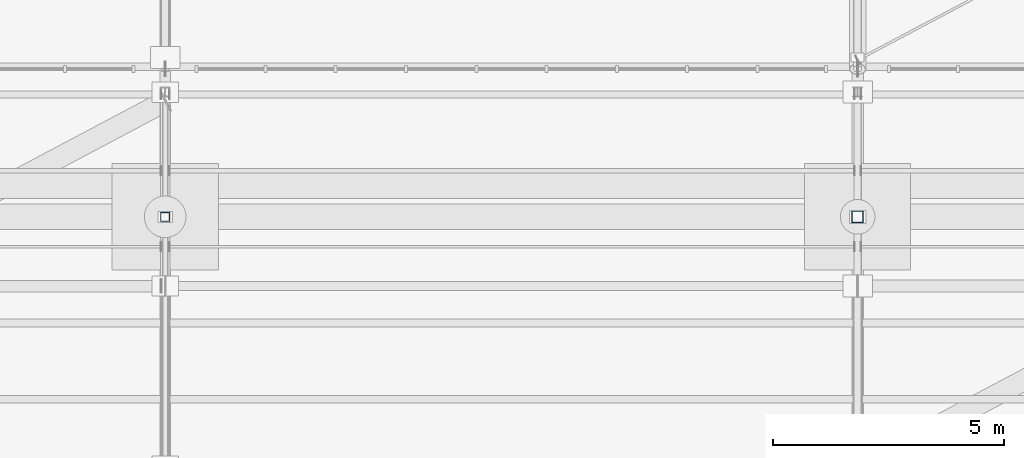
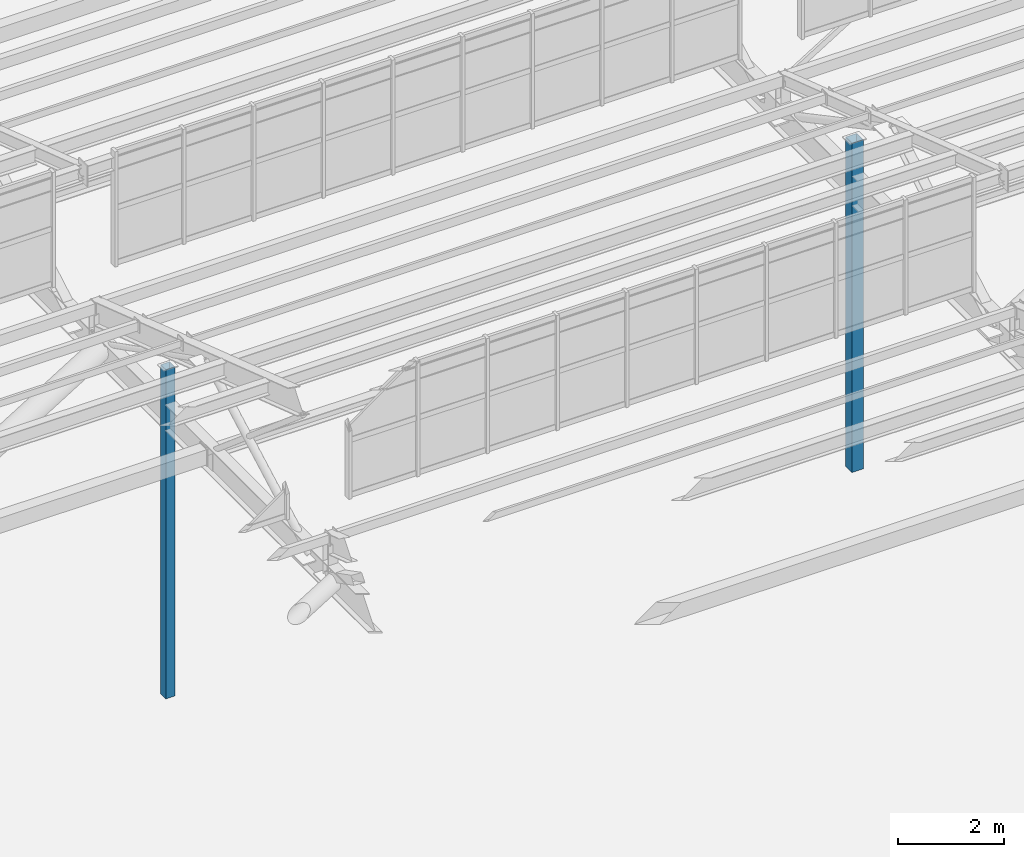
# One storey, part 26 of 285: 2 columns.
"""IFC4 building model written with IfcOpenShell, lengths in metres."""

import ifcopenshell
import ifcopenshell.guid

model = None  # the IFC model being written
_history = None  # IfcOwnerHistory: only IFC2X3 demands one
_inside = {}  # id of a spatial element -> (the spatial element, [elements in it])
_under = {}  # id of a project, library or spatial element -> (it, [spatial elements below it])
_declared = {}  # id of a project -> (the project, [libraries it declares])
_typed = {}  # id of a type object -> (the type object, [elements of that type])
_made_of = {}  # id of a material, layer set ... -> (it, [elements and type objects made of it])


def new_model(schema):
    """Start an empty IFC model of exactly this schema.

    Asked for "IFC4X3", IfcOpenShell would pick the latest addendum, in which some entities
    have other attributes; the version numbers below select the first issue.
    IFC2X3 requires an IfcOwnerHistory on every rooted entity: one is made here for all.
    """
    global model, _history
    if schema == "IFC4X3":
        model = ifcopenshell.file(schema_version=(4, 3, 0, 0))
    else:
        model = ifcopenshell.file(schema=schema)
    _inside.clear()
    _under.clear()
    _declared.clear()
    _typed.clear()
    _made_of.clear()
    _history = None
    if model.schema == "IFC2X3":
        org = make("IfcOrganization", Name="unknown")
        user = make(
            "IfcPersonAndOrganization",
            ThePerson=make("IfcPerson", FamilyName="unknown"),
            TheOrganization=org,
        )
        app = make(
            "IfcApplication",
            ApplicationDeveloper=org,
            Version="unknown",
            ApplicationFullName="unknown",
            ApplicationIdentifier="unknown",
        )
        _history = make(
            "IfcOwnerHistory",
            OwningUser=user,
            OwningApplication=app,
            ChangeAction="ADDED",
            CreationDate=0,
        )
    return model


def make(cls, **values):
    """One entity of the class cls with the attributes given. An attribute that is None is left unset."""
    return model.create_entity(
        cls, **{name: value for name, value in values.items() if value is not None}
    )


def rooted(cls, **values):
    """An entity with a GlobalId (a new one), such as an element, a storey or a relation."""
    return make(cls, GlobalId=ifcopenshell.guid.new(), OwnerHistory=_history, **values)


def si_unit(unit_type, name, prefix=None):
    """IfcSIUnit, for example si_unit("LENGTHUNIT", "METRE", prefix="MILLI")."""
    return make("IfcSIUnit", UnitType=unit_type, Prefix=prefix, Name=name)


def assignment(units):
    """IfcUnitAssignment: the units of a project."""
    return None if units is None else make("IfcUnitAssignment", Units=units)


def point(xyz):
    """IfcCartesianPoint."""
    return None if xyz is None else make("IfcCartesianPoint", Coordinates=xyz)


def direction(xyz):
    """IfcDirection."""
    return None if xyz is None else make("IfcDirection", DirectionRatios=xyz)


def frame(location, z_axis=None, x_axis=None):
    """IfcAxis2Placement3D, a coordinate frame: its origin and axes. An axis left out is left unset."""
    return make(
        "IfcAxis2Placement3D",
        Location=point(location),
        Axis=direction(z_axis),
        RefDirection=direction(x_axis),
    )


def frame_2d(location, x_axis=None):
    """IfcAxis2Placement2D, a coordinate frame in the plane: its origin and x axis."""
    return make(
        "IfcAxis2Placement2D", Location=point(location), RefDirection=direction(x_axis)
    )


def origin():
    """The frame at (0, 0, 0) with its axes left unset."""
    return frame((0.0, 0.0, 0.0))


def origin_2d():
    """The frame at (0, 0) in the plane with its x axis left unset."""
    return frame_2d((0.0, 0.0))


def place(relative_to, where):
    """IfcLocalPlacement: puts the frame where relative to a parent placement (None: the world)."""
    return make(
        "IfcLocalPlacement", PlacementRelTo=relative_to, RelativePlacement=where
    )


def context(
    kind, dimensions, precision=None, world=None, true_north=None, identifier=None
):
    """IfcGeometricRepresentationContext, for example the 3D "Model" context."""
    return make(
        "IfcGeometricRepresentationContext",
        ContextIdentifier=identifier,
        ContextType=kind,
        CoordinateSpaceDimension=dimensions,
        Precision=precision,
        WorldCoordinateSystem=world,
        TrueNorth=true_north,
    )


def subcontext(parent, identifier, kind, view, scale=None):
    """IfcGeometricRepresentationSubContext, for example "Body" below "Model"."""
    return make(
        "IfcGeometricRepresentationSubContext",
        ContextIdentifier=identifier,
        ContextType=kind,
        ParentContext=parent,
        TargetScale=scale,
        TargetView=view,
    )


def project(units=None, contexts=None):
    """IfcProject with its units and contexts."""
    return rooted(
        "IfcProject",
        Name="project",
        RepresentationContexts=contexts,
        UnitsInContext=assignment(units),
    )


def spatial(cls, under=None, at=None, **own):
    """A site, building, storey or space (cls), placed at a placement, below another one or the project."""
    s = rooted(cls, ObjectPlacement=at, **own)
    if under is not None:
        _under.setdefault(under.id(), (under, []))[1].append(s)
    return s


def profile(cls, at=None, kind="AREA", **sizes):
    """A parametric profile (cls). Its sizes go by their IFC names, for example OverallWidth=200.0."""
    return make(cls, ProfileType=kind, Position=at, **sizes)


def hollow_rectangle(**sizes):
    """IfcRectangleHollowProfileDef."""
    return profile("IfcRectangleHollowProfileDef", **sizes)


def extrude(swept, where, along, depth):
    """IfcExtrudedAreaSolid: the profile swept, set in the frame where, extruded along a direction by depth."""
    return make(
        "IfcExtrudedAreaSolid",
        SweptArea=swept,
        Position=where,
        ExtrudedDirection=direction(along),
        Depth=depth,
    )


def shape(context_of_items, identifier, shape_type, items):
    """IfcShapeRepresentation: the items that make up one representation, for example the "Body"."""
    return make(
        "IfcShapeRepresentation",
        ContextOfItems=context_of_items,
        RepresentationIdentifier=identifier,
        RepresentationType=shape_type,
        Items=items,
    )


def material(Name=None, Category=None):
    """IfcMaterial."""
    return make("IfcMaterial", Name=Name, Category=Category)


def material_profile(
    of_material, cross_section, Name=None, Category=None, Priority=None
):
    """IfcMaterialProfile: a cross section and its material."""
    return make(
        "IfcMaterialProfile",
        Name=Name,
        Material=of_material,
        Profile=cross_section,
        Priority=Priority,
        Category=Category,
    )


def profile_set(profiles, Name=None, composite=None):
    """IfcMaterialProfileSet."""
    return make(
        "IfcMaterialProfileSet",
        Name=Name,
        MaterialProfiles=profiles,
        CompositeProfile=composite,
    )


def made_of(thing, what):
    """Note that an element or type object is made of a material, layer set ...; save() writes the relation."""
    if what is not None:
        _made_of.setdefault(what.id(), (what, []))[1].append(thing)
    return thing


def type_object(cls, material=None, **own):
    """A type object (cls), such as IfcWallType, which elements share."""
    return made_of(rooted(cls, **own), material)


def element(
    cls,
    number,
    at=None,
    inside=None,
    cuts=None,
    type_object=None,
    material=None,
    context=None,
    identifier="Body",
    shape_type=None,
    held_by="IfcProductDefinitionShape",
    body=None,
    shapes=None,
    **own,
):
    """One element of the class cls, such as IfcWall. Its Tag is "e" and its number.

    at: its placement. inside: the storey or other place that contains it. cuts: it is an
    opening in that element (IfcRelVoidsElement). A single representation is given by context,
    identifier, shape_type and body (its items); several are given by shapes. held_by: the class
    of the entity that holds the representations. save() writes the other relations.
    """
    e = rooted(cls, Tag="e%d" % number, ObjectPlacement=at, **own)
    if body is not None:
        shapes = [shape(context, identifier, shape_type, body)]
    if shapes is not None:
        e.Representation = make(held_by, Representations=shapes)
    if inside is not None:
        _inside.setdefault(inside.id(), (inside, []))[1].append(e)
    if cuts is not None:
        rooted(
            "IfcRelVoidsElement", RelatingBuildingElement=cuts, RelatedOpeningElement=e
        )
    if type_object is not None:
        _typed.setdefault(type_object.id(), (type_object, []))[1].append(e)
    return made_of(e, material)


def aggregate(whole, parts):
    """IfcRelAggregates: a whole, such as a stair, and the parts it consists of."""
    return rooted("IfcRelAggregates", RelatingObject=whole, RelatedObjects=parts)


def save(model, path):
    """Write the relations noted so far, then the file.

    IfcRelAggregates (storeys below a building ...), IfcRelContainedInSpatialStructure (elements
    in a storey), IfcRelDefinesByType, IfcRelAssociatesMaterial and IfcRelDeclares: one each for
    every whole, place, type object, material and project.
    """
    for whole, parts in _under.values():
        aggregate(whole, parts)
    for where, things in _inside.values():
        rooted(
            "IfcRelContainedInSpatialStructure",
            RelatedElements=things,
            RelatingStructure=where,
        )
    for kind, things in _typed.values():
        rooted("IfcRelDefinesByType", RelatedObjects=things, RelatingType=kind)
    for what, things in _made_of.values():
        rooted("IfcRelAssociatesMaterial", RelatedObjects=things, RelatingMaterial=what)
    for by, libraries in _declared.values():
        rooted("IfcRelDeclares", RelatingContext=by, RelatedDefinitions=libraries)
    model.write(path)


model = new_model("IFC4")

# Units and contexts
model_context = context("Model", 3, precision=1e-05, world=origin(), true_north=direction((0.0, 1.0)))
body_context = subcontext(model_context, "Body", "Model", "MODEL_VIEW")
ifc_project = project(units=[si_unit("LENGTHUNIT", "METRE"), si_unit("AREAUNIT", "SQUARE_METRE"), si_unit("VOLUMEUNIT", "CUBIC_METRE"), si_unit("PLANEANGLEUNIT", "RADIAN"), si_unit("MASSUNIT", "GRAM", prefix="KILO")], contexts=[model_context])

# Site, building, storey
site_placement = place(None, origin())
site = spatial("IfcSite", under=ifc_project, at=site_placement, CompositionType="ELEMENT")
building_placement = place(site_placement, origin())
building = spatial("IfcBuilding", under=site, at=building_placement, Name="Solanera Park Tramway Depot", CompositionType="ELEMENT")
storey_placement = place(building_placement, origin())
storey = spatial("IfcBuildingStorey", under=building, at=storey_placement, Name="L00", CompositionType="ELEMENT", Elevation=0.0)

# Columns
ifc_material_1 = material(Name="Steel AS/NZS 1163 Grade C350L0", Category="steel")
ifc_material_profile_1 = material_profile(ifc_material_1, hollow_rectangle(XDim=0.199951171875, YDim=0.199951171875, WallThickness=0.008056640625, at=origin_2d()), Name="200x200x8.0 SHS")
ifc_profile_set_1 = profile_set([ifc_material_profile_1], Name="Steel AS/NZS 1163 Grade C350L0")
column_type_1 = type_object("IfcColumnType", Name="Steel Column Int 200x200x8.0 SHS", PredefinedType="COLUMN", material=ifc_profile_set_1)
column_1_placement = place(storey_placement, frame((105.0, 114.5, 0.0), z_axis=(0.0, 0.0, 1.0), x_axis=(1.0, 0.0, 0.0)))
element("IfcColumn", 1, at=column_1_placement, inside=storey, type_object=column_type_1, Name="L00 Column V1-X1050-Y1145", PredefinedType="COLUMN", context=body_context, shape_type="SweptSolid", body=[
    extrude(hollow_rectangle(XDim=0.199951171875, YDim=0.199951171875, WallThickness=0.008056640625, at=origin_2d()), origin(), (0.0, 0.0, 1.0), 7.60009765625),
])
ifc_material_2 = material(Name="Steel AS/NZS 1163 Grade C350L0", Category="steel")
ifc_material_profile_2 = material_profile(ifc_material_2, hollow_rectangle(XDim=0.25, YDim=0.25, WallThickness=0.010009765625, at=origin_2d()), Name="250x250x10.0 SHS")
ifc_profile_set_2 = profile_set([ifc_material_profile_2], Name="Steel AS/NZS 1163 Grade C350L0")
column_type_2 = type_object("IfcColumnType", Name="Steel Column Int 250x250x10.0 SHS", PredefinedType="COLUMN", material=ifc_profile_set_2)
column_2_placement = place(storey_placement, frame((120.0, 114.5, 0.0), z_axis=(0.0, 0.0, 1.0), x_axis=(1.0, 0.0, 0.0)))
element("IfcColumn", 2, at=column_2_placement, inside=storey, type_object=column_type_2, Name="L00 Column V1-X1200-Y1145", PredefinedType="COLUMN", context=body_context, shape_type="SweptSolid", body=[
    extrude(hollow_rectangle(XDim=0.25, YDim=0.25, WallThickness=0.010009765625, at=origin_2d()), origin(), (0.0, 0.0, 1.0), 7.60009765625),
])

save(model, "model.ifc")
